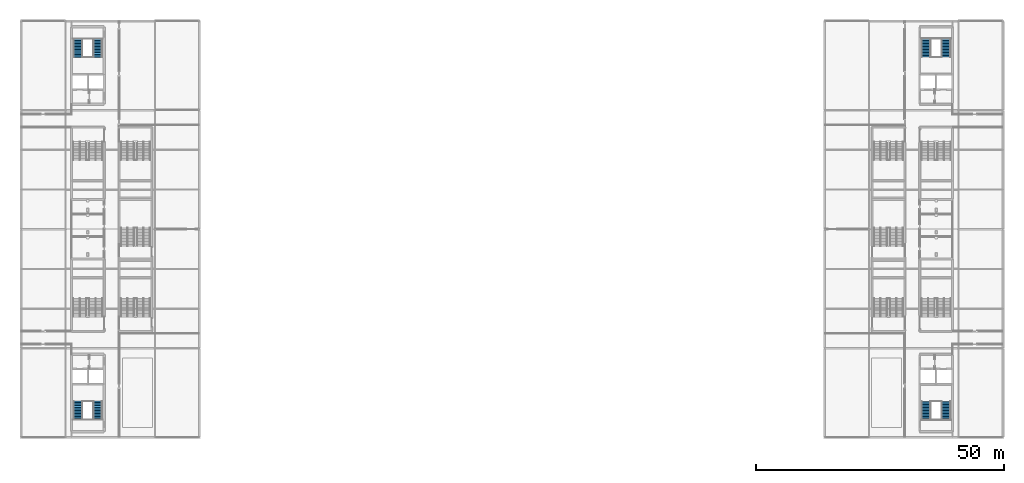
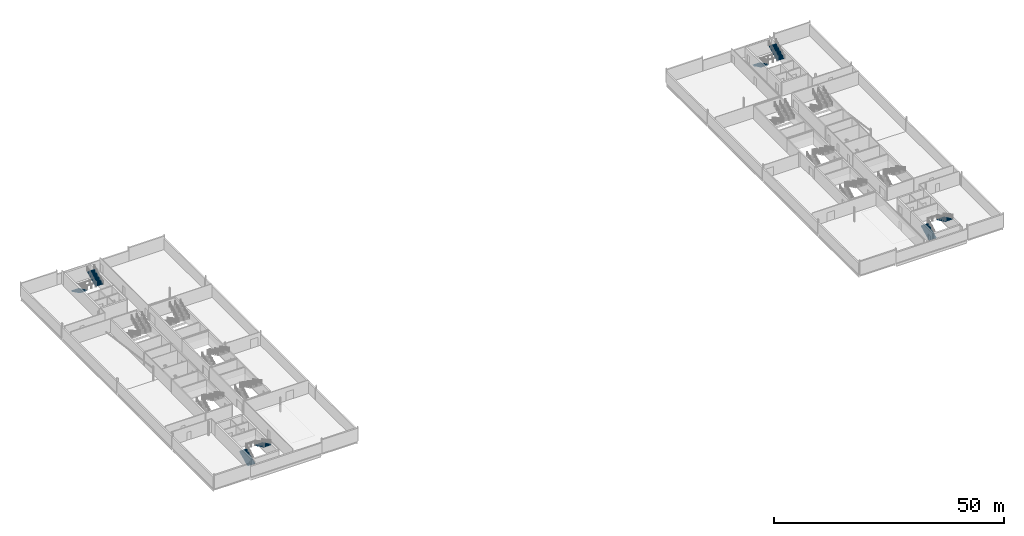
# One storey, part 20 of 30: 8 stair flights, 4 elements without a shape of their own.
"""IFC4 building model written with IfcOpenShell, lengths in metres."""

from ifc_helpers import new_model, si_unit, direction, frame, origin, place, context, subcontext, project, spatial, polyline, outline, extrude, material, type_object, element, aggregate, save


model = new_model("IFC4")

# Units and contexts
model_context = context("Model", 3, precision=1e-05, world=origin(), true_north=direction((0.0, 1.0)))
body_context = subcontext(model_context, "Body", "Model", "MODEL_VIEW")
ifc_project = project(units=[si_unit("LENGTHUNIT", "METRE"), si_unit("AREAUNIT", "SQUARE_METRE"), si_unit("VOLUMEUNIT", "CUBIC_METRE"), si_unit("PLANEANGLEUNIT", "RADIAN"), si_unit("MASSUNIT", "GRAM", prefix="KILO")], contexts=[model_context])

# Site, building, storey
site_placement = place(None, origin())
site = spatial("IfcSite", under=ifc_project, at=site_placement, CompositionType="ELEMENT")
building_placement = place(site_placement, origin())
building = spatial("IfcBuilding", under=site, at=building_placement, Name="Kisiwana Market Hall", CompositionType="ELEMENT")
storey_placement = place(building_placement, frame((0.0, 0.0, 54.0)))
storey = spatial("IfcBuildingStorey", under=building, at=storey_placement, Name="L12", CompositionType="ELEMENT", Elevation=54.0)

# Stair, stair flights
ifc_material_1 = material(Name="Concrete C32/40", Category="concrete")
stair_type = type_object("IfcStairType", Name="ST-TWR-3900", PredefinedType="TWO_STRAIGHT_RUN_STAIR", material=ifc_material_1)
stair_1_placement = place(storey_placement, origin())
stair_1 = element("IfcStair", 1, at=stair_1_placement, inside=storey, type_object=stair_type, Name="Escape stair ST-W2-L12", PredefinedType="TWO_STRAIGHT_RUN_STAIR")
ifc_material_2 = material(Name="Concrete C32/40", Category="concrete")
stair_flight_type = type_object("IfcStairFlightType", Name="SF-TWR-3900", PredefinedType="STRAIGHT", material=ifc_material_2)
stair_flight_1_placement = place(storey_placement, frame((11.5, 21.674560546875, 0.0), z_axis=(0.0, 0.0, 1.0), x_axis=(0.0, 1.0, 0.0)))
stair_flight_1 = element("IfcStairFlight", 2, at=stair_flight_1_placement, type_object=stair_flight_type, Name="ST-W2-L12 flight 1", NumberOfRisers=13, NumberOfTreads=12, PredefinedType="STRAIGHT", RiserHeight=0.15, TreadLength=0.305, context=body_context, shape_type="SweptSolid", body=[
    extrude(outline(polyline([(0.0, 0.0), (0.0, 0.14990234375), (0.304931640625, 0.14990234375), (0.304931640625, 0.300048828125), (0.610107421875, 0.300048828125), (0.610107421875, 0.449951171875), (0.9150390625, 0.449951171875), (0.9150390625, 0.60009765625), (1.219970703125, 0.60009765625), (1.219970703125, 0.75), (1.52490234375, 0.75), (1.52490234375, 0.89990234375), (1.830078125, 0.89990234375), (1.830078125, 1.050048828125), (2.135009765625, 1.050048828125), (2.135009765625, 1.199951171875), (2.43994140625, 1.199951171875), (2.43994140625, 1.35009765625), (2.7451171875, 1.35009765625), (2.7451171875, 1.5), (3.050048828125, 1.5), (3.050048828125, 1.64990234375), (3.35498046875, 1.64990234375), (3.35498046875, 1.800048828125), (3.659912109375, 1.800048828125), (3.659912109375, 1.949951171875), (3.659912109375, 1.599365234375), (0.40771484375, 0.0), (0.0, 0.0)])), frame((0.0, 0.925048828125, 0.0), z_axis=(0.0, -1.0, 0.0), x_axis=(1.0, 0.0, 0.0)), (0.0, 0.0, 1.0), 1.85009765625),
])
stair_flight_2_placement = place(storey_placement, frame((15.5, 25.33447265625, 1.949951171875), z_axis=(0.0, 0.0, 1.0), x_axis=(0.0, -1.0, 0.0)))
stair_flight_2 = element("IfcStairFlight", 3, at=stair_flight_2_placement, type_object=stair_flight_type, Name="ST-W2-L12 flight 2", NumberOfRisers=13, NumberOfTreads=12, PredefinedType="STRAIGHT", RiserHeight=0.15, TreadLength=0.305, context=body_context, shape_type="SweptSolid", body=[
    extrude(outline(polyline([(0.0, 0.0), (0.0, 0.14990234375), (0.304931640625, 0.14990234375), (0.304931640625, 0.300048828125), (0.610107421875, 0.300048828125), (0.610107421875, 0.449951171875), (0.9150390625, 0.449951171875), (0.9150390625, 0.60009765625), (1.219970703125, 0.60009765625), (1.219970703125, 0.75), (1.52490234375, 0.75), (1.52490234375, 0.89990234375), (1.830078125, 0.89990234375), (1.830078125, 1.050048828125), (2.135009765625, 1.050048828125), (2.135009765625, 1.199951171875), (2.43994140625, 1.199951171875), (2.43994140625, 1.35009765625), (2.7451171875, 1.35009765625), (2.7451171875, 1.5), (3.050048828125, 1.5), (3.050048828125, 1.64990234375), (3.35498046875, 1.64990234375), (3.35498046875, 1.800048828125), (3.659912109375, 1.800048828125), (3.659912109375, 1.949951171875), (3.659912109375, 1.599365234375), (0.40771484375, 0.0), (0.0, 0.0)])), frame((0.0, 0.925048828125, 0.0), z_axis=(0.0, -1.0, 0.0), x_axis=(1.0, 0.0, 0.0)), (0.0, 0.0, 1.0), 1.85009765625),
])
aggregate(stair_1, [stair_flight_1, stair_flight_2])

stair_2_placement = place(storey_placement, origin())
stair_2 = element("IfcStair", 4, at=stair_2_placement, inside=storey, type_object=stair_type, Name="Escape stair ST-W1-L12", PredefinedType="TWO_STRAIGHT_RUN_STAIR")
stair_flight_3_placement = place(storey_placement, frame((11.5, 98.325439453125, 0.0), z_axis=(0.0, 0.0, 1.0), x_axis=(0.0, -1.0, 0.0)))
stair_flight_3 = element("IfcStairFlight", 5, at=stair_flight_3_placement, type_object=stair_flight_type, Name="ST-W1-L12 flight 1", NumberOfRisers=13, NumberOfTreads=12, PredefinedType="STRAIGHT", RiserHeight=0.15, TreadLength=0.305, context=body_context, shape_type="SweptSolid", body=[
    extrude(outline(polyline([(0.0, 0.0), (0.0, 0.14990234375), (0.304931640625, 0.14990234375), (0.304931640625, 0.300048828125), (0.610107421875, 0.300048828125), (0.610107421875, 0.449951171875), (0.9150390625, 0.449951171875), (0.9150390625, 0.60009765625), (1.219970703125, 0.60009765625), (1.219970703125, 0.75), (1.52490234375, 0.75), (1.52490234375, 0.89990234375), (1.830078125, 0.89990234375), (1.830078125, 1.050048828125), (2.135009765625, 1.050048828125), (2.135009765625, 1.199951171875), (2.43994140625, 1.199951171875), (2.43994140625, 1.35009765625), (2.7451171875, 1.35009765625), (2.7451171875, 1.5), (3.050048828125, 1.5), (3.050048828125, 1.64990234375), (3.35498046875, 1.64990234375), (3.35498046875, 1.800048828125), (3.659912109375, 1.800048828125), (3.659912109375, 1.949951171875), (3.659912109375, 1.599365234375), (0.40771484375, 0.0), (0.0, 0.0)])), frame((0.0, 0.925048828125, 0.0), z_axis=(0.0, -1.0, 0.0), x_axis=(1.0, 0.0, 0.0)), (0.0, 0.0, 1.0), 1.85009765625),
])
stair_flight_4_placement = place(storey_placement, frame((15.5, 94.66552734375, 1.949951171875), z_axis=(0.0, 0.0, 1.0), x_axis=(0.0, 1.0, 0.0)))
stair_flight_4 = element("IfcStairFlight", 6, at=stair_flight_4_placement, type_object=stair_flight_type, Name="ST-W1-L12 flight 2", NumberOfRisers=13, NumberOfTreads=12, PredefinedType="STRAIGHT", RiserHeight=0.15, TreadLength=0.305, context=body_context, shape_type="SweptSolid", body=[
    extrude(outline(polyline([(0.0, 0.0), (0.0, 0.14990234375), (0.304931640625, 0.14990234375), (0.304931640625, 0.300048828125), (0.610107421875, 0.300048828125), (0.610107421875, 0.449951171875), (0.9150390625, 0.449951171875), (0.9150390625, 0.60009765625), (1.219970703125, 0.60009765625), (1.219970703125, 0.75), (1.52490234375, 0.75), (1.52490234375, 0.89990234375), (1.830078125, 0.89990234375), (1.830078125, 1.050048828125), (2.135009765625, 1.050048828125), (2.135009765625, 1.199951171875), (2.43994140625, 1.199951171875), (2.43994140625, 1.35009765625), (2.7451171875, 1.35009765625), (2.7451171875, 1.5), (3.050048828125, 1.5), (3.050048828125, 1.64990234375), (3.35498046875, 1.64990234375), (3.35498046875, 1.800048828125), (3.659912109375, 1.800048828125), (3.659912109375, 1.949951171875), (3.659912109375, 1.599365234375), (0.40771484375, 0.0), (0.0, 0.0)])), frame((0.0, 0.925048828125, 0.0), z_axis=(0.0, -1.0, 0.0), x_axis=(1.0, 0.0, 0.0)), (0.0, 0.0, 1.0), 1.85009765625),
])
aggregate(stair_2, [stair_flight_3, stair_flight_4])

stair_3_placement = place(storey_placement, origin())
stair_3 = element("IfcStair", 7, at=stair_3_placement, inside=storey, type_object=stair_type, Name="Escape stair ST-E2-L12", PredefinedType="TWO_STRAIGHT_RUN_STAIR")
stair_flight_5_placement = place(storey_placement, frame((182.47509765625, 21.6494140625, 0.0), z_axis=(0.0, 0.0, 1.0), x_axis=(0.0, 1.0, 0.0)))
stair_flight_5 = element("IfcStairFlight", 8, at=stair_flight_5_placement, type_object=stair_flight_type, Name="ST-E2-L12 flight 1", NumberOfRisers=13, NumberOfTreads=12, PredefinedType="STRAIGHT", RiserHeight=0.15, TreadLength=0.305, context=body_context, shape_type="SweptSolid", body=[
    extrude(outline(polyline([(0.0, 0.0), (0.0, 0.14990234375), (0.304931640625, 0.14990234375), (0.304931640625, 0.300048828125), (0.610107421875, 0.300048828125), (0.610107421875, 0.449951171875), (0.9150390625, 0.449951171875), (0.9150390625, 0.60009765625), (1.219970703125, 0.60009765625), (1.219970703125, 0.75), (1.52490234375, 0.75), (1.52490234375, 0.89990234375), (1.830078125, 0.89990234375), (1.830078125, 1.050048828125), (2.135009765625, 1.050048828125), (2.135009765625, 1.199951171875), (2.43994140625, 1.199951171875), (2.43994140625, 1.35009765625), (2.7451171875, 1.35009765625), (2.7451171875, 1.5), (3.050048828125, 1.5), (3.050048828125, 1.64990234375), (3.35498046875, 1.64990234375), (3.35498046875, 1.800048828125), (3.659912109375, 1.800048828125), (3.659912109375, 1.949951171875), (3.659912109375, 1.599365234375), (0.40771484375, 0.0), (0.0, 0.0)])), frame((0.0, 0.925048828125, 0.0), z_axis=(0.0, -1.0, 0.0), x_axis=(1.0, 0.0, 0.0)), (0.0, 0.0, 1.0), 1.85009765625),
])
stair_flight_6_placement = place(storey_placement, frame((186.52490234375, 25.3095703125, 1.949951171875), z_axis=(0.0, 0.0, 1.0), x_axis=(0.0, -1.0, 0.0)))
stair_flight_6 = element("IfcStairFlight", 9, at=stair_flight_6_placement, type_object=stair_flight_type, Name="ST-E2-L12 flight 2", NumberOfRisers=13, NumberOfTreads=12, PredefinedType="STRAIGHT", RiserHeight=0.15, TreadLength=0.305, context=body_context, shape_type="SweptSolid", body=[
    extrude(outline(polyline([(0.0, 0.0), (0.0, 0.14990234375), (0.304931640625, 0.14990234375), (0.304931640625, 0.300048828125), (0.610107421875, 0.300048828125), (0.610107421875, 0.449951171875), (0.9150390625, 0.449951171875), (0.9150390625, 0.60009765625), (1.219970703125, 0.60009765625), (1.219970703125, 0.75), (1.52490234375, 0.75), (1.52490234375, 0.89990234375), (1.830078125, 0.89990234375), (1.830078125, 1.050048828125), (2.135009765625, 1.050048828125), (2.135009765625, 1.199951171875), (2.43994140625, 1.199951171875), (2.43994140625, 1.35009765625), (2.7451171875, 1.35009765625), (2.7451171875, 1.5), (3.050048828125, 1.5), (3.050048828125, 1.64990234375), (3.35498046875, 1.64990234375), (3.35498046875, 1.800048828125), (3.659912109375, 1.800048828125), (3.659912109375, 1.949951171875), (3.659912109375, 1.599365234375), (0.40771484375, 0.0), (0.0, 0.0)])), frame((0.0, 0.925048828125, 0.0), z_axis=(0.0, -1.0, 0.0), x_axis=(1.0, 0.0, 0.0)), (0.0, 0.0, 1.0), 1.85009765625),
])
aggregate(stair_3, [stair_flight_5, stair_flight_6])

stair_4_placement = place(storey_placement, origin())
stair_4 = element("IfcStair", 10, at=stair_4_placement, inside=storey, type_object=stair_type, Name="Escape stair ST-E1-L12", PredefinedType="TWO_STRAIGHT_RUN_STAIR")
stair_flight_7_placement = place(storey_placement, frame((182.47509765625, 98.3505859375, 0.0), z_axis=(0.0, 0.0, 1.0), x_axis=(0.0, -1.0, 0.0)))
stair_flight_7 = element("IfcStairFlight", 11, at=stair_flight_7_placement, type_object=stair_flight_type, Name="ST-E1-L12 flight 1", NumberOfRisers=13, NumberOfTreads=12, PredefinedType="STRAIGHT", RiserHeight=0.15, TreadLength=0.305, context=body_context, shape_type="SweptSolid", body=[
    extrude(outline(polyline([(0.0, 0.0), (0.0, 0.14990234375), (0.304931640625, 0.14990234375), (0.304931640625, 0.300048828125), (0.610107421875, 0.300048828125), (0.610107421875, 0.449951171875), (0.9150390625, 0.449951171875), (0.9150390625, 0.60009765625), (1.219970703125, 0.60009765625), (1.219970703125, 0.75), (1.52490234375, 0.75), (1.52490234375, 0.89990234375), (1.830078125, 0.89990234375), (1.830078125, 1.050048828125), (2.135009765625, 1.050048828125), (2.135009765625, 1.199951171875), (2.43994140625, 1.199951171875), (2.43994140625, 1.35009765625), (2.7451171875, 1.35009765625), (2.7451171875, 1.5), (3.050048828125, 1.5), (3.050048828125, 1.64990234375), (3.35498046875, 1.64990234375), (3.35498046875, 1.800048828125), (3.659912109375, 1.800048828125), (3.659912109375, 1.949951171875), (3.659912109375, 1.599365234375), (0.40771484375, 0.0), (0.0, 0.0)])), frame((0.0, 0.925048828125, 0.0), z_axis=(0.0, -1.0, 0.0), x_axis=(1.0, 0.0, 0.0)), (0.0, 0.0, 1.0), 1.85009765625),
])
stair_flight_8_placement = place(storey_placement, frame((186.52490234375, 94.6904296875, 1.949951171875), z_axis=(0.0, 0.0, 1.0), x_axis=(0.0, 1.0, 0.0)))
stair_flight_8 = element("IfcStairFlight", 12, at=stair_flight_8_placement, type_object=stair_flight_type, Name="ST-E1-L12 flight 2", NumberOfRisers=13, NumberOfTreads=12, PredefinedType="STRAIGHT", RiserHeight=0.15, TreadLength=0.305, context=body_context, shape_type="SweptSolid", body=[
    extrude(outline(polyline([(0.0, 0.0), (0.0, 0.14990234375), (0.304931640625, 0.14990234375), (0.304931640625, 0.300048828125), (0.610107421875, 0.300048828125), (0.610107421875, 0.449951171875), (0.9150390625, 0.449951171875), (0.9150390625, 0.60009765625), (1.219970703125, 0.60009765625), (1.219970703125, 0.75), (1.52490234375, 0.75), (1.52490234375, 0.89990234375), (1.830078125, 0.89990234375), (1.830078125, 1.050048828125), (2.135009765625, 1.050048828125), (2.135009765625, 1.199951171875), (2.43994140625, 1.199951171875), (2.43994140625, 1.35009765625), (2.7451171875, 1.35009765625), (2.7451171875, 1.5), (3.050048828125, 1.5), (3.050048828125, 1.64990234375), (3.35498046875, 1.64990234375), (3.35498046875, 1.800048828125), (3.659912109375, 1.800048828125), (3.659912109375, 1.949951171875), (3.659912109375, 1.599365234375), (0.40771484375, 0.0), (0.0, 0.0)])), frame((0.0, 0.925048828125, 0.0), z_axis=(0.0, -1.0, 0.0), x_axis=(1.0, 0.0, 0.0)), (0.0, 0.0, 1.0), 1.85009765625),
])
aggregate(stair_4, [stair_flight_7, stair_flight_8])

save(model, "model.ifc")
